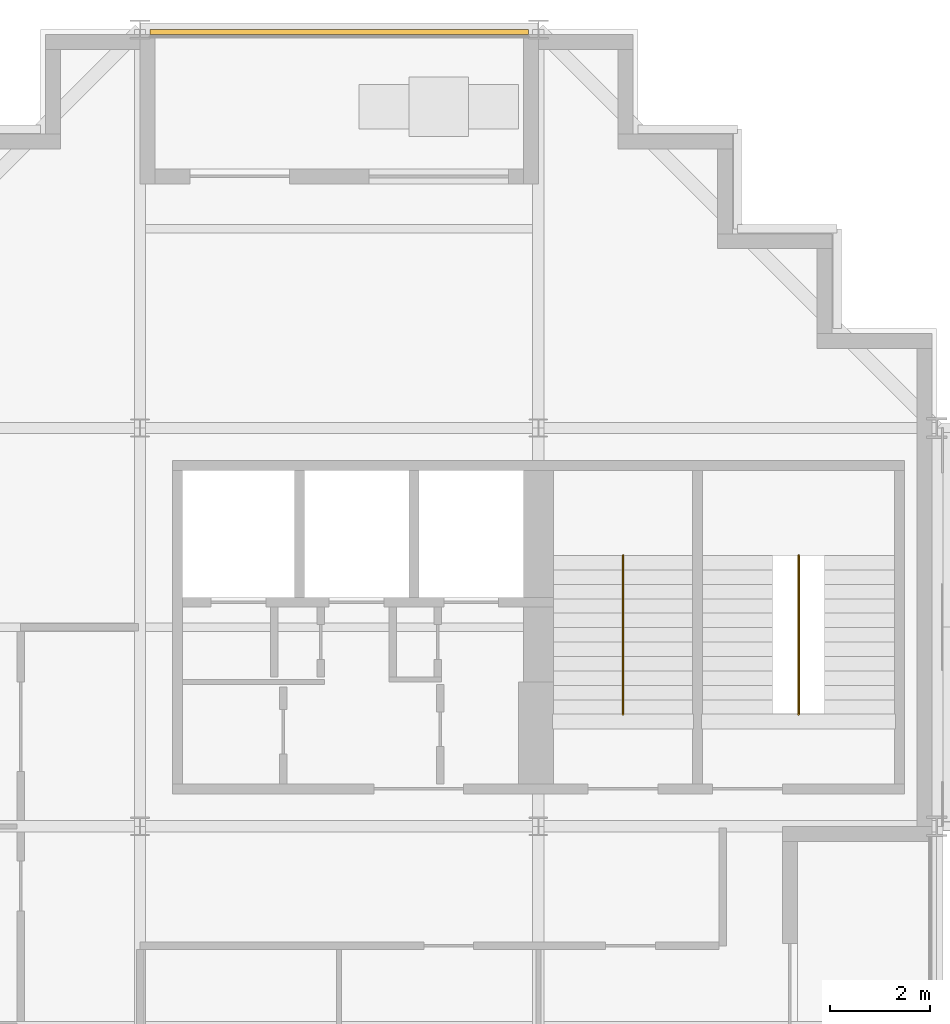
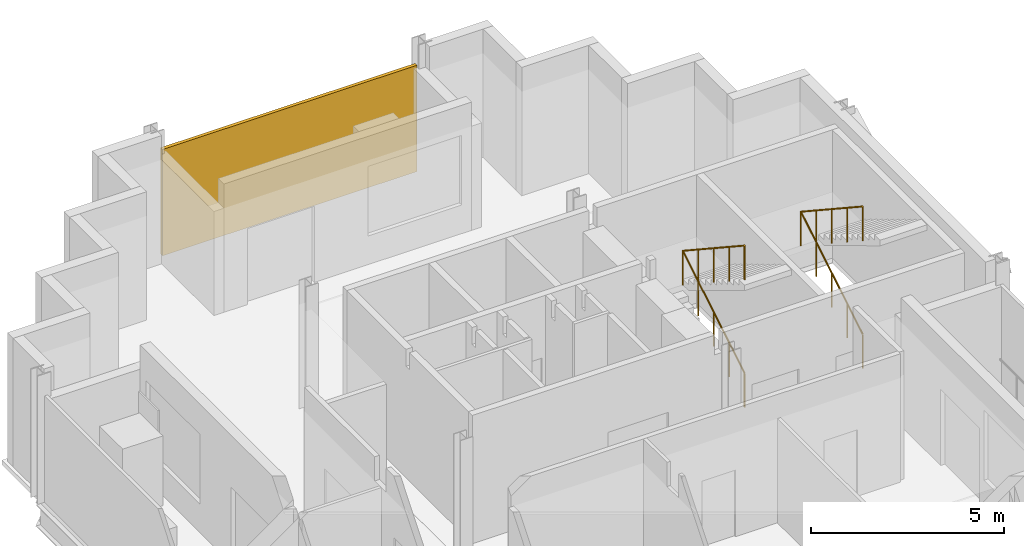
# One storey, part 11 of 12: 2 railings, 1 shading device.
"""IFC4 building model written with IfcOpenShell, lengths in metres."""

from ifc_helpers import new_model, si_unit, direction, frame, origin, origin_2d, place, context, subcontext, project, spatial, rectangle, circle, extrude, material, layer, layer_set, type_object, element, save


model = new_model("IFC4")

# Units and contexts
model_context = context("Model", 3, precision=1e-05, world=origin(), true_north=direction((0.0, 1.0)))
body_context = subcontext(model_context, "Body", "Model", "MODEL_VIEW")
ifc_project = project(units=[si_unit("LENGTHUNIT", "METRE"), si_unit("AREAUNIT", "SQUARE_METRE"), si_unit("VOLUMEUNIT", "CUBIC_METRE"), si_unit("PLANEANGLEUNIT", "RADIAN"), si_unit("MASSUNIT", "GRAM", prefix="KILO")], contexts=[model_context])

# Site, building, storey
site_placement = place(None, origin())
site = spatial("IfcSite", under=ifc_project, at=site_placement, CompositionType="ELEMENT")
building_placement = place(site_placement, origin())
building = spatial("IfcBuilding", under=site, at=building_placement, Name="Immortelle Media Tower", CompositionType="ELEMENT")
storey_placement = place(building_placement, frame((0.0, 0.0, 124.199951171875)))
storey = spatial("IfcBuildingStorey", under=building, at=storey_placement, Name="L24", CompositionType="ELEMENT", Elevation=124.199951171875)

# Shading device
ifc_material_1 = material(Name="Pale aluminium louvre blades", Category="aluminium")
ifc_layer = layer(ifc_material_1, 0.10009765625)
ifc_layer_set = layer_set([ifc_layer], Name="Pale aluminium louvre blades")
shading_device_type = type_object("IfcShadingDeviceType", Name="Jalousie screen 100", PredefinedType="JALOUSIE", material=ifc_layer_set)
shading_device_placement = place(storey_placement, frame((12.0, 47.949951171875, 0.0), z_axis=(0.0, 0.0, 1.0), x_axis=(-1.0, 0.0, 0.0)))
element("IfcShadingDevice", 1, at=shading_device_placement, inside=storey, type_object=shading_device_type, Name="Jalousie screen L24 N0", PredefinedType="JALOUSIE", context=body_context, shape_type="SweptSolid", body=[
    extrude(rectangle(XDim=7.60107421875, YDim=0.10009765625, at=origin_2d()), origin(), (0.0, 0.0, 1.0), 3.35693359375),
])

# Railings
ifc_material_2 = material(Name="Stainless steel AISI 316", Category="steel")
railing_type = type_object("IfcRailingType", Name="Stair guard 1100", PredefinedType="GUARDRAIL", material=ifc_material_2)
for number, where, name in (
    (2, (17.699951171875, 34.25, 0.175048828125), "Stair guard NW1"),
    (3, (21.22509765625, 34.25, 0.175048828125), "Stair guard NW2"),
):
    element("IfcRailing", number, at=place(storey_placement, frame(where)), inside=storey, type_object=railing_type, Name=name, PredefinedType="GUARDRAIL", context=body_context, shape_type="SweptSolid", body=[
        extrude(circle(Radius=0.02392578125, at=origin_2d()), frame((0.0, 0.0, 1.076171875), z_axis=(0.0, 0.856177665481, 0.516681531633), x_axis=(-1.0, 0.0, 0.0)), (0.0, 0.0, 1.0), 3.725830078125),
        extrude(circle(Radius=0.02392578125, at=origin_2d()), frame((0.0, 3.18994140625, 3.0009765625), z_axis=(0.0, -0.835271834381, 0.549837214719), x_axis=(1.0, 0.0, 0.0)), (0.0, 0.0, 1.0), 3.819091796875),
        extrude(circle(Radius=0.02099609375, at=origin_2d()), origin(), (0.0, 0.0, 1.0), 1.052001953125),
        extrude(circle(Radius=0.02099609375, at=origin_2d()), frame((0.0, 0.79736328125, 0.481201171875)), (0.0, 0.0, 1.0), 1.052001953125),
        extrude(circle(Radius=0.02099609375, at=origin_2d()), frame((0.0, 1.594970703125, 0.96240234375)), (0.0, 0.0, 1.0), 1.052001953125),
        extrude(circle(Radius=0.02099609375, at=origin_2d()), frame((0.0, 2.392578125, 1.44384765625)), (0.0, 0.0, 1.0), 1.052001953125),
        extrude(circle(Radius=0.02099609375, at=origin_2d()), frame((0.0, 3.18994140625, 1.925048828125)), (0.0, 0.0, 1.0), 1.052001953125),
        extrude(circle(Radius=0.02099609375, at=origin_2d()), frame((0.0, 2.392578125, 2.449951171875)), (0.0, 0.0, 1.0), 1.052001953125),
        extrude(circle(Radius=0.02099609375, at=origin_2d()), frame((0.0, 1.594970703125, 2.97509765625)), (0.0, 0.0, 1.0), 1.052001953125),
        extrude(circle(Radius=0.02099609375, at=origin_2d()), frame((0.0, 0.79736328125, 3.5)), (0.0, 0.0, 1.0), 1.052001953125),
        extrude(circle(Radius=0.02099609375, at=origin_2d()), frame((0.0, 0.0, 4.02490234375)), (0.0, 0.0, 1.0), 1.052001953125),
    ])

save(model, "model.ifc")
